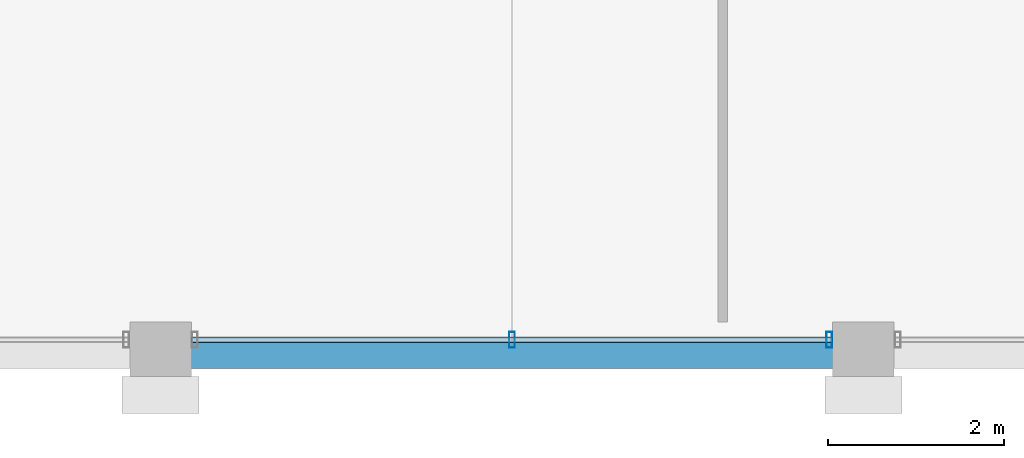
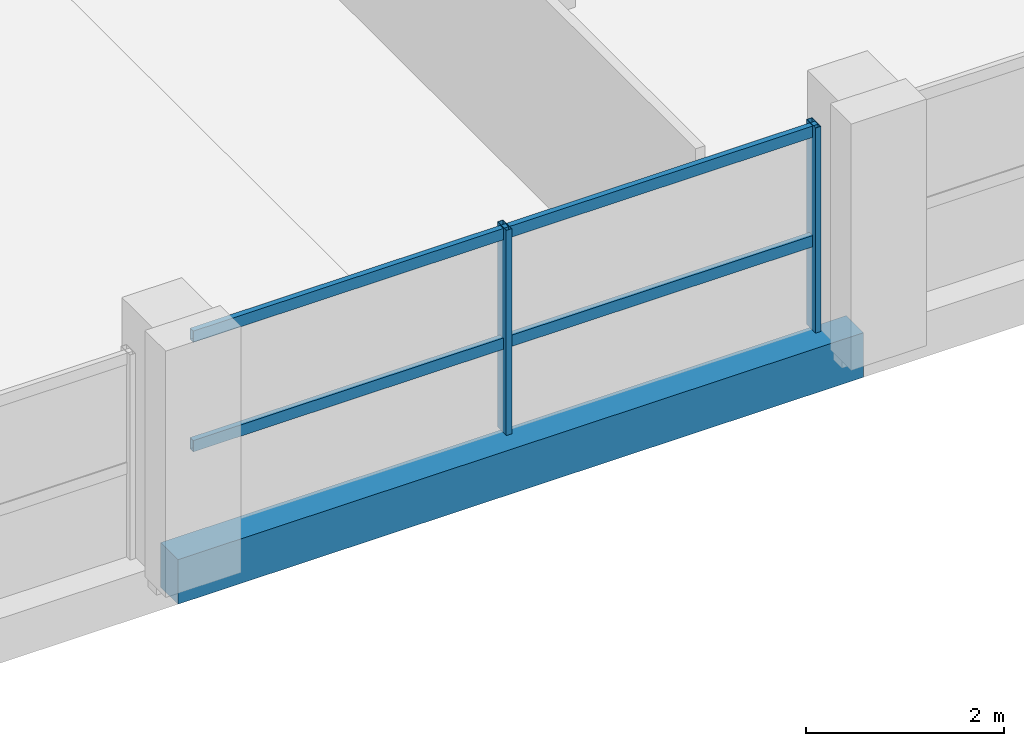
# One storey, part 6 of 24: 4 members, 1 beam, 1 element without a shape of its own.
"""IFC4 building model written with IfcOpenShell, lengths in metres."""

import ifcopenshell
import ifcopenshell.guid

model = None  # the IFC model being written
_history = None  # IfcOwnerHistory: only IFC2X3 demands one
_inside = {}  # id of a spatial element -> (the spatial element, [elements in it])
_under = {}  # id of a project, library or spatial element -> (it, [spatial elements below it])
_declared = {}  # id of a project -> (the project, [libraries it declares])
_typed = {}  # id of a type object -> (the type object, [elements of that type])
_made_of = {}  # id of a material, layer set ... -> (it, [elements and type objects made of it])


def new_model(schema):
    """Start an empty IFC model of exactly this schema.

    Asked for "IFC4X3", IfcOpenShell would pick the latest addendum, in which some entities
    have other attributes; the version numbers below select the first issue.
    IFC2X3 requires an IfcOwnerHistory on every rooted entity: one is made here for all.
    """
    global model, _history
    if schema == "IFC4X3":
        model = ifcopenshell.file(schema_version=(4, 3, 0, 0))
    else:
        model = ifcopenshell.file(schema=schema)
    _inside.clear()
    _under.clear()
    _declared.clear()
    _typed.clear()
    _made_of.clear()
    _history = None
    if model.schema == "IFC2X3":
        org = make("IfcOrganization", Name="unknown")
        user = make(
            "IfcPersonAndOrganization",
            ThePerson=make("IfcPerson", FamilyName="unknown"),
            TheOrganization=org,
        )
        app = make(
            "IfcApplication",
            ApplicationDeveloper=org,
            Version="unknown",
            ApplicationFullName="unknown",
            ApplicationIdentifier="unknown",
        )
        _history = make(
            "IfcOwnerHistory",
            OwningUser=user,
            OwningApplication=app,
            ChangeAction="ADDED",
            CreationDate=0,
        )
    return model


def make(cls, **values):
    """One entity of the class cls with the attributes given. An attribute that is None is left unset."""
    return model.create_entity(
        cls, **{name: value for name, value in values.items() if value is not None}
    )


def rooted(cls, **values):
    """An entity with a GlobalId (a new one), such as an element, a storey or a relation."""
    return make(cls, GlobalId=ifcopenshell.guid.new(), OwnerHistory=_history, **values)


def si_unit(unit_type, name, prefix=None):
    """IfcSIUnit, for example si_unit("LENGTHUNIT", "METRE", prefix="MILLI")."""
    return make("IfcSIUnit", UnitType=unit_type, Prefix=prefix, Name=name)


def assignment(units):
    """IfcUnitAssignment: the units of a project."""
    return None if units is None else make("IfcUnitAssignment", Units=units)


def point(xyz):
    """IfcCartesianPoint."""
    return None if xyz is None else make("IfcCartesianPoint", Coordinates=xyz)


def direction(xyz):
    """IfcDirection."""
    return None if xyz is None else make("IfcDirection", DirectionRatios=xyz)


def frame(location, z_axis=None, x_axis=None):
    """IfcAxis2Placement3D, a coordinate frame: its origin and axes. An axis left out is left unset."""
    return make(
        "IfcAxis2Placement3D",
        Location=point(location),
        Axis=direction(z_axis),
        RefDirection=direction(x_axis),
    )


def frame_2d(location, x_axis=None):
    """IfcAxis2Placement2D, a coordinate frame in the plane: its origin and x axis."""
    return make(
        "IfcAxis2Placement2D", Location=point(location), RefDirection=direction(x_axis)
    )


def origin():
    """The frame at (0, 0, 0) with its axes left unset."""
    return frame((0.0, 0.0, 0.0))


def origin_2d():
    """The frame at (0, 0) in the plane with its x axis left unset."""
    return frame_2d((0.0, 0.0))


def place(relative_to, where):
    """IfcLocalPlacement: puts the frame where relative to a parent placement (None: the world)."""
    return make(
        "IfcLocalPlacement", PlacementRelTo=relative_to, RelativePlacement=where
    )


def context(
    kind, dimensions, precision=None, world=None, true_north=None, identifier=None
):
    """IfcGeometricRepresentationContext, for example the 3D "Model" context."""
    return make(
        "IfcGeometricRepresentationContext",
        ContextIdentifier=identifier,
        ContextType=kind,
        CoordinateSpaceDimension=dimensions,
        Precision=precision,
        WorldCoordinateSystem=world,
        TrueNorth=true_north,
    )


def subcontext(parent, identifier, kind, view, scale=None):
    """IfcGeometricRepresentationSubContext, for example "Body" below "Model"."""
    return make(
        "IfcGeometricRepresentationSubContext",
        ContextIdentifier=identifier,
        ContextType=kind,
        ParentContext=parent,
        TargetScale=scale,
        TargetView=view,
    )


def project(units=None, contexts=None):
    """IfcProject with its units and contexts."""
    return rooted(
        "IfcProject",
        Name="project",
        RepresentationContexts=contexts,
        UnitsInContext=assignment(units),
    )


def spatial(cls, under=None, at=None, **own):
    """A site, building, storey or space (cls), placed at a placement, below another one or the project."""
    s = rooted(cls, ObjectPlacement=at, **own)
    if under is not None:
        _under.setdefault(under.id(), (under, []))[1].append(s)
    return s


def profile(cls, at=None, kind="AREA", **sizes):
    """A parametric profile (cls). Its sizes go by their IFC names, for example OverallWidth=200.0."""
    return make(cls, ProfileType=kind, Position=at, **sizes)


def rectangle(**sizes):
    """IfcRectangleProfileDef."""
    return profile("IfcRectangleProfileDef", **sizes)


def hollow_rectangle(**sizes):
    """IfcRectangleHollowProfileDef."""
    return profile("IfcRectangleHollowProfileDef", **sizes)


def extrude(swept, where, along, depth):
    """IfcExtrudedAreaSolid: the profile swept, set in the frame where, extruded along a direction by depth."""
    return make(
        "IfcExtrudedAreaSolid",
        SweptArea=swept,
        Position=where,
        ExtrudedDirection=direction(along),
        Depth=depth,
    )


def shape(context_of_items, identifier, shape_type, items):
    """IfcShapeRepresentation: the items that make up one representation, for example the "Body"."""
    return make(
        "IfcShapeRepresentation",
        ContextOfItems=context_of_items,
        RepresentationIdentifier=identifier,
        RepresentationType=shape_type,
        Items=items,
    )


def material(Name=None, Category=None):
    """IfcMaterial."""
    return make("IfcMaterial", Name=Name, Category=Category)


def material_profile(
    of_material, cross_section, Name=None, Category=None, Priority=None
):
    """IfcMaterialProfile: a cross section and its material."""
    return make(
        "IfcMaterialProfile",
        Name=Name,
        Material=of_material,
        Profile=cross_section,
        Priority=Priority,
        Category=Category,
    )


def profile_set(profiles, Name=None, composite=None):
    """IfcMaterialProfileSet."""
    return make(
        "IfcMaterialProfileSet",
        Name=Name,
        MaterialProfiles=profiles,
        CompositeProfile=composite,
    )


def made_of(thing, what):
    """Note that an element or type object is made of a material, layer set ...; save() writes the relation."""
    if what is not None:
        _made_of.setdefault(what.id(), (what, []))[1].append(thing)
    return thing


def type_object(cls, material=None, **own):
    """A type object (cls), such as IfcWallType, which elements share."""
    return made_of(rooted(cls, **own), material)


def element(
    cls,
    number,
    at=None,
    inside=None,
    cuts=None,
    type_object=None,
    material=None,
    context=None,
    identifier="Body",
    shape_type=None,
    held_by="IfcProductDefinitionShape",
    body=None,
    shapes=None,
    **own,
):
    """One element of the class cls, such as IfcWall. Its Tag is "e" and its number.

    at: its placement. inside: the storey or other place that contains it. cuts: it is an
    opening in that element (IfcRelVoidsElement). A single representation is given by context,
    identifier, shape_type and body (its items); several are given by shapes. held_by: the class
    of the entity that holds the representations. save() writes the other relations.
    """
    e = rooted(cls, Tag="e%d" % number, ObjectPlacement=at, **own)
    if body is not None:
        shapes = [shape(context, identifier, shape_type, body)]
    if shapes is not None:
        e.Representation = make(held_by, Representations=shapes)
    if inside is not None:
        _inside.setdefault(inside.id(), (inside, []))[1].append(e)
    if cuts is not None:
        rooted(
            "IfcRelVoidsElement", RelatingBuildingElement=cuts, RelatedOpeningElement=e
        )
    if type_object is not None:
        _typed.setdefault(type_object.id(), (type_object, []))[1].append(e)
    return made_of(e, material)


def aggregate(whole, parts):
    """IfcRelAggregates: a whole, such as a stair, and the parts it consists of."""
    return rooted("IfcRelAggregates", RelatingObject=whole, RelatedObjects=parts)


def save(model, path):
    """Write the relations noted so far, then the file.

    IfcRelAggregates (storeys below a building ...), IfcRelContainedInSpatialStructure (elements
    in a storey), IfcRelDefinesByType, IfcRelAssociatesMaterial and IfcRelDeclares: one each for
    every whole, place, type object, material and project.
    """
    for whole, parts in _under.values():
        aggregate(whole, parts)
    for where, things in _inside.values():
        rooted(
            "IfcRelContainedInSpatialStructure",
            RelatedElements=things,
            RelatingStructure=where,
        )
    for kind, things in _typed.values():
        rooted("IfcRelDefinesByType", RelatedObjects=things, RelatingType=kind)
    for what, things in _made_of.values():
        rooted("IfcRelAssociatesMaterial", RelatedObjects=things, RelatingMaterial=what)
    for by, libraries in _declared.values():
        rooted("IfcRelDeclares", RelatingContext=by, RelatedDefinitions=libraries)
    model.write(path)


model = new_model("IFC4")

# Units and contexts
model_context = context("Model", 3, precision=1e-05, world=origin(), true_north=direction((0.0, 1.0)))
body_context = subcontext(model_context, "Body", "Model", "MODEL_VIEW")
ifc_project = project(units=[si_unit("LENGTHUNIT", "METRE"), si_unit("AREAUNIT", "SQUARE_METRE"), si_unit("VOLUMEUNIT", "CUBIC_METRE"), si_unit("PLANEANGLEUNIT", "RADIAN"), si_unit("MASSUNIT", "GRAM", prefix="KILO")], contexts=[model_context])

# Site, building, storey
site_placement = place(None, origin())
site = spatial("IfcSite", under=ifc_project, at=site_placement, CompositionType="ELEMENT")
building_placement = place(site_placement, origin())
building = spatial("IfcBuilding", under=site, at=building_placement, Name="Akrevak Sports Hall", CompositionType="ELEMENT")
storey_placement = place(building_placement, frame((0.0, 0.0, 60.050048828125)))
storey = spatial("IfcBuildingStorey", under=building, at=storey_placement, Name="L15", CompositionType="ELEMENT", Elevation=60.050048828125)

# Curtain wall, members
ifc_material_1 = material(Name="Anodized Bronze Aluminium & Low-E Glass", Category="aluminium")
curtain_wall_type = type_object("IfcCurtainWallType", Name="ARC-CW-TWR-56x30", PredefinedType="NOTDEFINED", material=ifc_material_1)
curtain_wall_placement = place(storey_placement, origin())
curtain_wall = element("IfcCurtainWall", 1, at=curtain_wall_placement, inside=storey, type_object=curtain_wall_type, Name="Curtain Wall CW-L15-S04", PredefinedType="NOTDEFINED")
ifc_material_2 = material(Name="Anodized Bronze Aluminium", Category="aluminium")
ifc_material_profile_1 = material_profile(ifc_material_2, hollow_rectangle(XDim=0.06494140625, YDim=0.179931640625, WallThickness=0.00390625, at=origin_2d()), Name="CWM 65x180", Category="aluminium")
ifc_profile_set_1 = profile_set([ifc_material_profile_1], Name="Anodized Bronze Aluminium")
member_type_1 = type_object("IfcMemberType", Name="ARC-CWM-65x140", PredefinedType="MULLION", material=ifc_profile_set_1)
member_1_placement = place(storey_placement, frame((80.0, 35.550048828125, 0.0), z_axis=(0.0, 0.0, 1.0), x_axis=(1.0, 0.0, 0.0)))
member_1 = element("IfcMember", 2, at=member_1_placement, type_object=member_type_1, Name="Curtain Wall Mullion CW-L15-S04-M2", PredefinedType="MULLION", context=body_context, shape_type="SweptSolid", body=[
    extrude(hollow_rectangle(XDim=0.06494140625, YDim=0.179931640625, WallThickness=0.00390625, at=origin_2d()), origin(), (0.0, 0.0, 1.0), 2.530029296875),
])
member_2_placement = place(storey_placement, frame((83.610107421875, 35.550048828125, 0.0), z_axis=(0.0, 0.0, 1.0), x_axis=(1.0, 0.0, 0.0)))
member_2 = element("IfcMember", 3, at=member_2_placement, type_object=member_type_1, Name="Curtain Wall Mullion CW-L15-S04-M3", PredefinedType="MULLION", context=body_context, shape_type="SweptSolid", body=[
    extrude(hollow_rectangle(XDim=0.06494140625, YDim=0.179931640625, WallThickness=0.00390625, at=origin_2d()), origin(), (0.0, 0.0, 1.0), 2.530029296875),
])
ifc_material_profile_2 = material_profile(ifc_material_2, hollow_rectangle(XDim=0.06494140625, YDim=0.139892578125, WallThickness=0.00390625, at=origin_2d()), Name="CWT 65x140", Category="aluminium")
ifc_profile_set_2 = profile_set([ifc_material_profile_2], Name="Anodized Bronze Aluminium")
member_type_2 = type_object("IfcMemberType", Name="ARC-CWT-65x110", PredefinedType="USERDEFINED", material=ifc_profile_set_2)
member_3_placement = place(storey_placement, frame((76.35009765625, 35.550048828125, 1.099853515625), z_axis=(1.0, 0.0, 0.0), x_axis=(0.0, 1.0, 0.0)))
member_3 = element("IfcMember", 4, at=member_3_placement, type_object=member_type_2, Name="Curtain Wall Transom CW-L15-S04-T1", ObjectType="TRANSOM", PredefinedType="USERDEFINED", context=body_context, shape_type="SweptSolid", body=[
    extrude(hollow_rectangle(XDim=0.06494140625, YDim=0.139892578125, WallThickness=0.00390625, at=origin_2d()), origin(), (0.0, 0.0, 1.0), 7.2998046875),
])
member_4_placement = place(storey_placement, frame((76.35009765625, 35.550048828125, 2.449951171875), z_axis=(1.0, 0.0, 0.0), x_axis=(0.0, 1.0, 0.0)))
member_4 = element("IfcMember", 5, at=member_4_placement, type_object=member_type_2, Name="Curtain Wall Transom CW-L15-S04-T2", ObjectType="TRANSOM", PredefinedType="USERDEFINED", context=body_context, shape_type="SweptSolid", body=[
    extrude(hollow_rectangle(XDim=0.06494140625, YDim=0.139892578125, WallThickness=0.00390625, at=origin_2d()), origin(), (0.0, 0.0, 1.0), 7.2998046875),
])
aggregate(curtain_wall, [member_1, member_2, member_3, member_4])

# Beam
ifc_material_3 = material(Name="Concrete C40/50", Category="concrete")
ifc_material_profile_3 = material_profile(ifc_material_3, rectangle(XDim=0.35009765625, YDim=0.550048828125, at=origin_2d()), Name="BM 350x550", Category="concrete")
ifc_profile_set_3 = profile_set([ifc_material_profile_3], Name="Concrete C40/50")
beam_type = type_object("IfcBeamType", Name="STR-BM-RC350x550", PredefinedType="BEAM", material=ifc_profile_set_3)
beam_placement = place(storey_placement, frame((76.0, 35.39990234375, -0.275146484375), z_axis=(1.0, 0.0, 0.0), x_axis=(0.0, 1.0, 0.0)))
element("IfcBeam", 6, at=beam_placement, inside=storey, type_object=beam_type, Name="Girder F/11-12 (L15)", PredefinedType="BEAM", context=body_context, shape_type="SweptSolid", body=[
    extrude(rectangle(XDim=0.35009765625, YDim=0.550048828125, at=origin_2d()), origin(), (0.0, 0.0, 1.0), 8.0),
])

save(model, "model.ifc")
